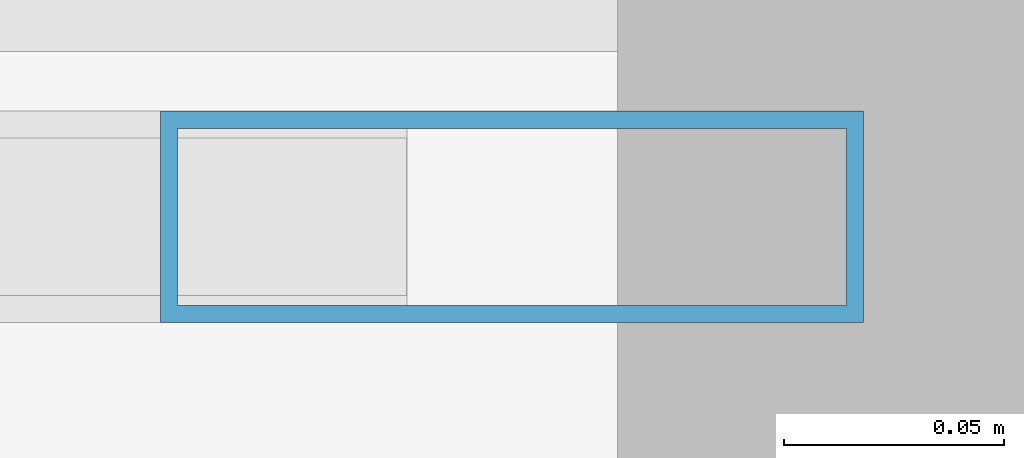
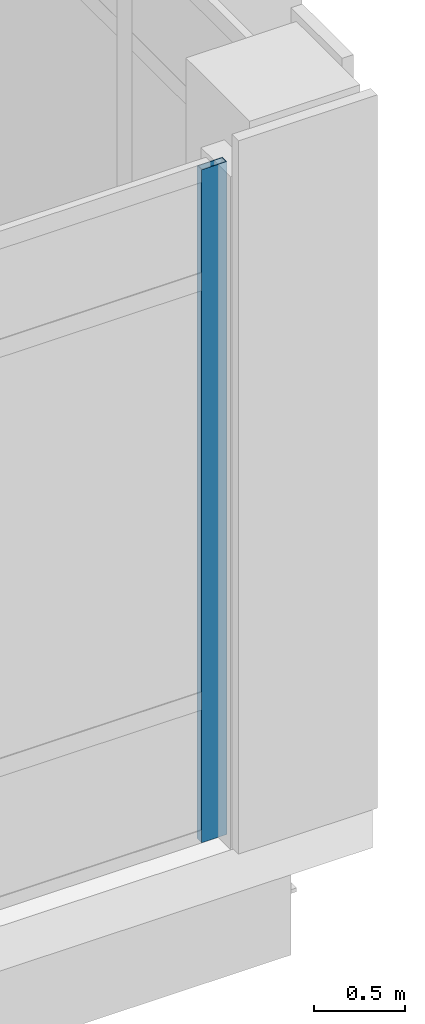
# One storey, part 101 of 189: 1 member, 1 element without a shape of its own.
"""IFC4 building model written with IfcOpenShell, lengths in metres."""

import ifcopenshell
import ifcopenshell.guid

model = None  # the IFC model being written
_history = None  # IfcOwnerHistory: only IFC2X3 demands one
_inside = {}  # id of a spatial element -> (the spatial element, [elements in it])
_under = {}  # id of a project, library or spatial element -> (it, [spatial elements below it])
_declared = {}  # id of a project -> (the project, [libraries it declares])
_typed = {}  # id of a type object -> (the type object, [elements of that type])
_made_of = {}  # id of a material, layer set ... -> (it, [elements and type objects made of it])


def new_model(schema):
    """Start an empty IFC model of exactly this schema.

    Asked for "IFC4X3", IfcOpenShell would pick the latest addendum, in which some entities
    have other attributes; the version numbers below select the first issue.
    IFC2X3 requires an IfcOwnerHistory on every rooted entity: one is made here for all.
    """
    global model, _history
    if schema == "IFC4X3":
        model = ifcopenshell.file(schema_version=(4, 3, 0, 0))
    else:
        model = ifcopenshell.file(schema=schema)
    _inside.clear()
    _under.clear()
    _declared.clear()
    _typed.clear()
    _made_of.clear()
    _history = None
    if model.schema == "IFC2X3":
        org = make("IfcOrganization", Name="unknown")
        user = make(
            "IfcPersonAndOrganization",
            ThePerson=make("IfcPerson", FamilyName="unknown"),
            TheOrganization=org,
        )
        app = make(
            "IfcApplication",
            ApplicationDeveloper=org,
            Version="unknown",
            ApplicationFullName="unknown",
            ApplicationIdentifier="unknown",
        )
        _history = make(
            "IfcOwnerHistory",
            OwningUser=user,
            OwningApplication=app,
            ChangeAction="ADDED",
            CreationDate=0,
        )
    return model


def make(cls, **values):
    """One entity of the class cls with the attributes given. An attribute that is None is left unset."""
    return model.create_entity(
        cls, **{name: value for name, value in values.items() if value is not None}
    )


def rooted(cls, **values):
    """An entity with a GlobalId (a new one), such as an element, a storey or a relation."""
    return make(cls, GlobalId=ifcopenshell.guid.new(), OwnerHistory=_history, **values)


def si_unit(unit_type, name, prefix=None):
    """IfcSIUnit, for example si_unit("LENGTHUNIT", "METRE", prefix="MILLI")."""
    return make("IfcSIUnit", UnitType=unit_type, Prefix=prefix, Name=name)


def assignment(units):
    """IfcUnitAssignment: the units of a project."""
    return None if units is None else make("IfcUnitAssignment", Units=units)


def point(xyz):
    """IfcCartesianPoint."""
    return None if xyz is None else make("IfcCartesianPoint", Coordinates=xyz)


def direction(xyz):
    """IfcDirection."""
    return None if xyz is None else make("IfcDirection", DirectionRatios=xyz)


def frame(location, z_axis=None, x_axis=None):
    """IfcAxis2Placement3D, a coordinate frame: its origin and axes. An axis left out is left unset."""
    return make(
        "IfcAxis2Placement3D",
        Location=point(location),
        Axis=direction(z_axis),
        RefDirection=direction(x_axis),
    )


def frame_2d(location, x_axis=None):
    """IfcAxis2Placement2D, a coordinate frame in the plane: its origin and x axis."""
    return make(
        "IfcAxis2Placement2D", Location=point(location), RefDirection=direction(x_axis)
    )


def origin():
    """The frame at (0, 0, 0) with its axes left unset."""
    return frame((0.0, 0.0, 0.0))


def origin_2d():
    """The frame at (0, 0) in the plane with its x axis left unset."""
    return frame_2d((0.0, 0.0))


def place(relative_to, where):
    """IfcLocalPlacement: puts the frame where relative to a parent placement (None: the world)."""
    return make(
        "IfcLocalPlacement", PlacementRelTo=relative_to, RelativePlacement=where
    )


def context(
    kind, dimensions, precision=None, world=None, true_north=None, identifier=None
):
    """IfcGeometricRepresentationContext, for example the 3D "Model" context."""
    return make(
        "IfcGeometricRepresentationContext",
        ContextIdentifier=identifier,
        ContextType=kind,
        CoordinateSpaceDimension=dimensions,
        Precision=precision,
        WorldCoordinateSystem=world,
        TrueNorth=true_north,
    )


def subcontext(parent, identifier, kind, view, scale=None):
    """IfcGeometricRepresentationSubContext, for example "Body" below "Model"."""
    return make(
        "IfcGeometricRepresentationSubContext",
        ContextIdentifier=identifier,
        ContextType=kind,
        ParentContext=parent,
        TargetScale=scale,
        TargetView=view,
    )


def project(units=None, contexts=None):
    """IfcProject with its units and contexts."""
    return rooted(
        "IfcProject",
        Name="project",
        RepresentationContexts=contexts,
        UnitsInContext=assignment(units),
    )


def spatial(cls, under=None, at=None, **own):
    """A site, building, storey or space (cls), placed at a placement, below another one or the project."""
    s = rooted(cls, ObjectPlacement=at, **own)
    if under is not None:
        _under.setdefault(under.id(), (under, []))[1].append(s)
    return s


def profile(cls, at=None, kind="AREA", **sizes):
    """A parametric profile (cls). Its sizes go by their IFC names, for example OverallWidth=200.0."""
    return make(cls, ProfileType=kind, Position=at, **sizes)


def hollow_rectangle(**sizes):
    """IfcRectangleHollowProfileDef."""
    return profile("IfcRectangleHollowProfileDef", **sizes)


def extrude(swept, where, along, depth):
    """IfcExtrudedAreaSolid: the profile swept, set in the frame where, extruded along a direction by depth."""
    return make(
        "IfcExtrudedAreaSolid",
        SweptArea=swept,
        Position=where,
        ExtrudedDirection=direction(along),
        Depth=depth,
    )


def shape(context_of_items, identifier, shape_type, items):
    """IfcShapeRepresentation: the items that make up one representation, for example the "Body"."""
    return make(
        "IfcShapeRepresentation",
        ContextOfItems=context_of_items,
        RepresentationIdentifier=identifier,
        RepresentationType=shape_type,
        Items=items,
    )


def material(Name=None, Category=None):
    """IfcMaterial."""
    return make("IfcMaterial", Name=Name, Category=Category)


def layer(
    of_material, thickness, ventilated=None, Name=None, Category=None, Priority=None
):
    """IfcMaterialLayer: one layer of a wall or slab, of a material (None: an air gap)."""
    return make(
        "IfcMaterialLayer",
        Material=of_material,
        LayerThickness=thickness,
        IsVentilated=ventilated,
        Name=Name,
        Category=Category,
        Priority=Priority,
    )


def layer_set(layers, Name=None):
    """IfcMaterialLayerSet."""
    return make("IfcMaterialLayerSet", MaterialLayers=layers, LayerSetName=Name)


def material_profile(
    of_material, cross_section, Name=None, Category=None, Priority=None
):
    """IfcMaterialProfile: a cross section and its material."""
    return make(
        "IfcMaterialProfile",
        Name=Name,
        Material=of_material,
        Profile=cross_section,
        Priority=Priority,
        Category=Category,
    )


def profile_set(profiles, Name=None, composite=None):
    """IfcMaterialProfileSet."""
    return make(
        "IfcMaterialProfileSet",
        Name=Name,
        MaterialProfiles=profiles,
        CompositeProfile=composite,
    )


def made_of(thing, what):
    """Note that an element or type object is made of a material, layer set ...; save() writes the relation."""
    if what is not None:
        _made_of.setdefault(what.id(), (what, []))[1].append(thing)
    return thing


def type_object(cls, material=None, **own):
    """A type object (cls), such as IfcWallType, which elements share."""
    return made_of(rooted(cls, **own), material)


def element(
    cls,
    number,
    at=None,
    inside=None,
    cuts=None,
    type_object=None,
    material=None,
    context=None,
    identifier="Body",
    shape_type=None,
    held_by="IfcProductDefinitionShape",
    body=None,
    shapes=None,
    **own,
):
    """One element of the class cls, such as IfcWall. Its Tag is "e" and its number.

    at: its placement. inside: the storey or other place that contains it. cuts: it is an
    opening in that element (IfcRelVoidsElement). A single representation is given by context,
    identifier, shape_type and body (its items); several are given by shapes. held_by: the class
    of the entity that holds the representations. save() writes the other relations.
    """
    e = rooted(cls, Tag="e%d" % number, ObjectPlacement=at, **own)
    if body is not None:
        shapes = [shape(context, identifier, shape_type, body)]
    if shapes is not None:
        e.Representation = make(held_by, Representations=shapes)
    if inside is not None:
        _inside.setdefault(inside.id(), (inside, []))[1].append(e)
    if cuts is not None:
        rooted(
            "IfcRelVoidsElement", RelatingBuildingElement=cuts, RelatedOpeningElement=e
        )
    if type_object is not None:
        _typed.setdefault(type_object.id(), (type_object, []))[1].append(e)
    return made_of(e, material)


def aggregate(whole, parts):
    """IfcRelAggregates: a whole, such as a stair, and the parts it consists of."""
    return rooted("IfcRelAggregates", RelatingObject=whole, RelatedObjects=parts)


def save(model, path):
    """Write the relations noted so far, then the file.

    IfcRelAggregates (storeys below a building ...), IfcRelContainedInSpatialStructure (elements
    in a storey), IfcRelDefinesByType, IfcRelAssociatesMaterial and IfcRelDeclares: one each for
    every whole, place, type object, material and project.
    """
    for whole, parts in _under.values():
        aggregate(whole, parts)
    for where, things in _inside.values():
        rooted(
            "IfcRelContainedInSpatialStructure",
            RelatedElements=things,
            RelatingStructure=where,
        )
    for kind, things in _typed.values():
        rooted("IfcRelDefinesByType", RelatedObjects=things, RelatingType=kind)
    for what, things in _made_of.values():
        rooted("IfcRelAssociatesMaterial", RelatedObjects=things, RelatingMaterial=what)
    for by, libraries in _declared.values():
        rooted("IfcRelDeclares", RelatingContext=by, RelatedDefinitions=libraries)
    model.write(path)


model = new_model("IFC4")

# Units and contexts
model_context = context("Model", 3, precision=1e-05, world=origin(), true_north=direction((0.0, 1.0)))
body_context = subcontext(model_context, "Body", "Model", "MODEL_VIEW")
ifc_project = project(units=[si_unit("LENGTHUNIT", "METRE"), si_unit("AREAUNIT", "SQUARE_METRE"), si_unit("VOLUMEUNIT", "CUBIC_METRE"), si_unit("PLANEANGLEUNIT", "RADIAN"), si_unit("MASSUNIT", "GRAM", prefix="KILO")], contexts=[model_context])

# Site, building, storey
site_placement = place(None, origin())
site = spatial("IfcSite", under=ifc_project, at=site_placement, CompositionType="ELEMENT")
building_placement = place(site_placement, origin())
building = spatial("IfcBuilding", under=site, at=building_placement, Name="Qalavern Law Courts", CompositionType="ELEMENT")
storey_placement = place(building_placement, frame((0.0, 0.0, 5.39990234375)))
storey = spatial("IfcBuildingStorey", under=building, at=storey_placement, Name="L01", CompositionType="ELEMENT", Elevation=5.39990234375)

# Curtain wall, member
ifc_material_1 = material(Name="Anodised aluminium and insulated glazing", Category="aluminium")
ifc_layer = layer(ifc_material_1, 0.166015625)
ifc_layer_set = layer_set([ifc_layer], Name="Anodised aluminium and insulated glazing")
curtain_wall_type = type_object("IfcCurtainWallType", Name="ENV-CW-LIB", PredefinedType="USERDEFINED", material=ifc_layer_set)
curtain_wall_placement = place(storey_placement, origin())
curtain_wall = element("IfcCurtainWall", 1, at=curtain_wall_placement, inside=storey, type_object=curtain_wall_type, Name="V5 unitised curtain wall L01 south 6", ObjectType="UNITISED CURTAIN WALL", PredefinedType="USERDEFINED")
ifc_material_2 = material(Name="Anodised aluminium", Category="aluminium")
ifc_material_profile = material_profile(ifc_material_2, hollow_rectangle(XDim=0.048095703125, YDim=0.159912109375, WallThickness=0.00390625, at=origin_2d()), Name="ALU MULLION 48x160")
ifc_profile_set = profile_set([ifc_material_profile], Name="Anodised aluminium")
member_type = type_object("IfcMemberType", Name="ENV-CWM-48x160", PredefinedType="MULLION", material=ifc_profile_set)
member_placement = place(storey_placement, frame((65.8759765625, 96.362548828125, 0.0), z_axis=(0.0, 0.0, 1.0), x_axis=(0.0, 1.0, 0.0)))
member = element("IfcMember", 2, at=member_placement, type_object=member_type, Name="CW-05 mullion 6", PredefinedType="MULLION", context=body_context, shape_type="SweptSolid", body=[
    extrude(hollow_rectangle(XDim=0.048095703125, YDim=0.159912109375, WallThickness=0.00390625, at=origin_2d()), origin(), (0.0, 0.0, 1.0), 4.510009765625),
])
aggregate(curtain_wall, [member])

save(model, "model.ifc")
